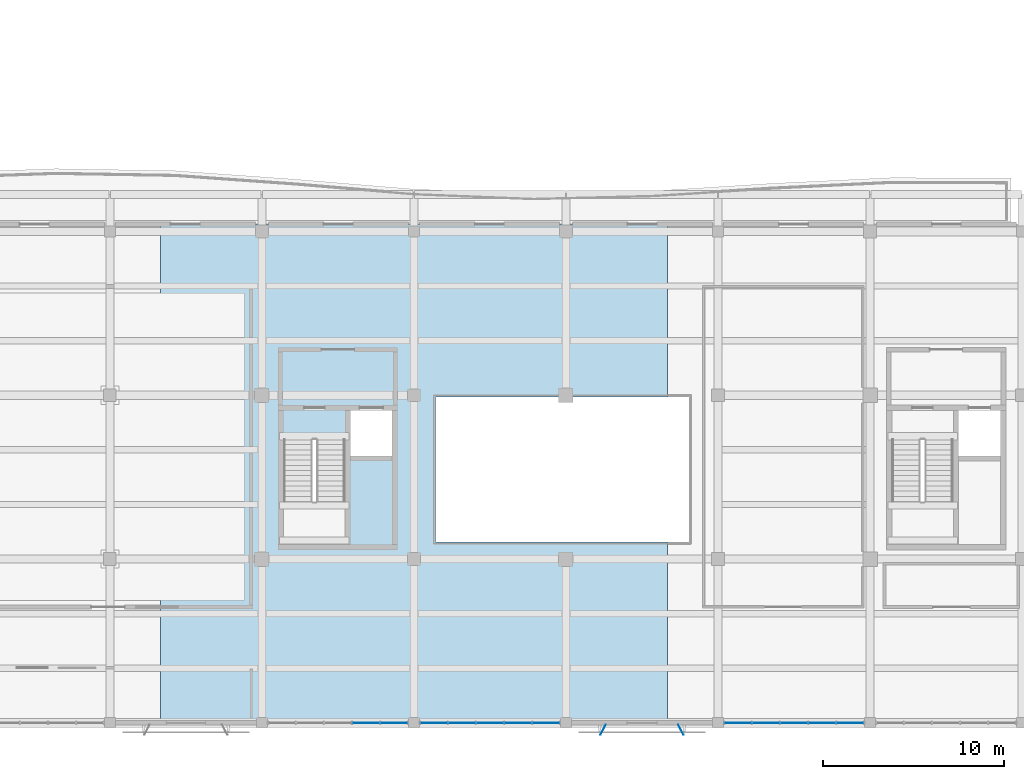
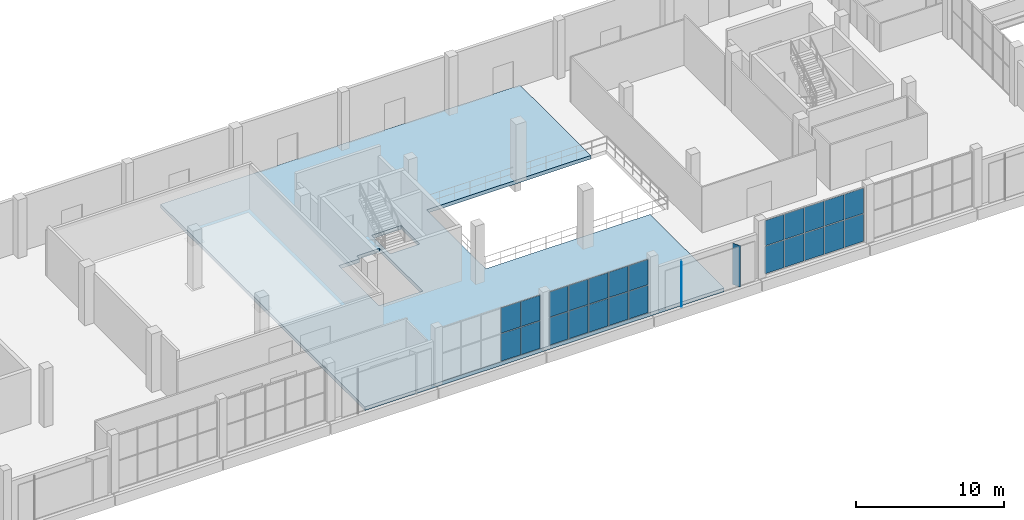
# One storey, part 45 of 80: 26 plates, 1 slab, 3 elements without a shape of their own.
"""IFC4 building model written with IfcOpenShell, lengths in metres."""

from ifc_helpers import new_model, si_unit, direction, frame, origin, origin_2d, place, context, subcontext, project, spatial, polyline, rectangle, outline, extrude, material, layer, layer_set, type_object, element, aggregate, save


model = new_model("IFC4")

# Units and contexts
model_context = context("Model", 3, precision=1e-05, world=origin(), true_north=direction((0.0, 1.0)))
body_context = subcontext(model_context, "Body", "Model", "MODEL_VIEW")
ifc_project = project(units=[si_unit("LENGTHUNIT", "METRE"), si_unit("AREAUNIT", "SQUARE_METRE"), si_unit("VOLUMEUNIT", "CUBIC_METRE"), si_unit("PLANEANGLEUNIT", "RADIAN"), si_unit("MASSUNIT", "GRAM", prefix="KILO")], contexts=[model_context])

# Site, building, storey
site_placement = place(None, origin())
site = spatial("IfcSite", under=ifc_project, at=site_placement, CompositionType="ELEMENT")
building_placement = place(site_placement, origin())
building = spatial("IfcBuilding", under=site, at=building_placement, Name="Khurvash Pelagic Aquarium", CompositionType="ELEMENT")
storey_placement = place(building_placement, frame((0.0, 0.0, 10.800048828125)))
storey = spatial("IfcBuildingStorey", under=building, at=storey_placement, Name="L02", CompositionType="ELEMENT", Elevation=10.800048828125)

# Curtain wall, plates
ifc_material_1 = material(Name="Anodised aluminium and low-E laminated glass", Category="aluminium")
curtain_wall_type = type_object("IfcCurtainWallType", Name="CW-06", PredefinedType="USERDEFINED", material=ifc_material_1)
curtain_wall_1_placement = place(storey_placement, origin())
curtain_wall_1 = element("IfcCurtainWall", 1, at=curtain_wall_1_placement, inside=storey, type_object=curtain_wall_type, Name="L02 Facade Unitised Curtain Wall CW-06 0153", ObjectType="UNITISED CURTAIN WALL", PredefinedType="USERDEFINED")
ifc_material_2 = material(Name="Low-E laminated double glazing", Category="glass")
ifc_layer_1 = layer(ifc_material_2, 0.030029296875)
ifc_layer_set_1 = layer_set([ifc_layer_1], Name="Low-E laminated double glazing")
plate_type_1 = type_object("IfcPlateType", Name="CG-06", PredefinedType="CURTAIN_PANEL", material=ifc_layer_set_1)
plate_1_placement = place(storey_placement, frame((64.55810546875, 2.60009765625, 0.06005859375), z_axis=(0.0, 0.0, 1.0), x_axis=(1.0, 0.0, 0.0)))
plate_1 = element("IfcPlate", 2, at=plate_1_placement, type_object=plate_type_1, Name="CW-06 panel 4.1", PredefinedType="CURTAIN_PANEL", context=body_context, shape_type="SweptSolid", body=[
    extrude(rectangle(XDim=1.498046875, YDim=0.030029296875, at=origin_2d()), origin(), (0.0, 0.0, 1.0), 2.25),
])
plate_2_placement = place(storey_placement, frame((64.55810546875, 2.60009765625, 2.3701171875), z_axis=(0.0, 0.0, 1.0), x_axis=(1.0, 0.0, 0.0)))
plate_2 = element("IfcPlate", 3, at=plate_2_placement, type_object=plate_type_1, Name="CW-06 panel 4.2", PredefinedType="CURTAIN_PANEL", context=body_context, shape_type="SweptSolid", body=[
    extrude(rectangle(XDim=1.498046875, YDim=0.030029296875, at=origin_2d()), origin(), (0.0, 0.0, 1.0), 2.070068359375),
])
plate_3_placement = place(storey_placement, frame((66.10107421875, 2.60009765625, 0.06005859375), z_axis=(0.0, 0.0, 1.0), x_axis=(1.0, 0.0, 0.0)))
plate_3 = element("IfcPlate", 4, at=plate_3_placement, type_object=plate_type_1, Name="CW-06 panel 5.1", PredefinedType="CURTAIN_PANEL", context=body_context, shape_type="SweptSolid", body=[
    extrude(rectangle(XDim=1.468017578125, YDim=0.030029296875, at=origin_2d()), origin(), (0.0, 0.0, 1.0), 2.25),
])
plate_4_placement = place(storey_placement, frame((66.10107421875, 2.60009765625, 2.3701171875), z_axis=(0.0, 0.0, 1.0), x_axis=(1.0, 0.0, 0.0)))
plate_4 = element("IfcPlate", 5, at=plate_4_placement, type_object=plate_type_1, Name="CW-06 panel 5.2", PredefinedType="CURTAIN_PANEL", context=body_context, shape_type="SweptSolid", body=[
    extrude(rectangle(XDim=1.468017578125, YDim=0.030029296875, at=origin_2d()), origin(), (0.0, 0.0, 1.0), 2.070068359375),
])
aggregate(curtain_wall_1, [plate_1, plate_2, plate_3, plate_4])

curtain_wall_2_placement = place(storey_placement, origin())
curtain_wall_2 = element("IfcCurtainWall", 6, at=curtain_wall_2_placement, inside=storey, type_object=curtain_wall_type, Name="L02 Facade Unitised Curtain Wall CW-06 0154", ObjectType="UNITISED CURTAIN WALL", PredefinedType="USERDEFINED")
plate_5_placement = place(storey_placement, frame((68.299072265625, 2.60009765625, 0.06005859375), z_axis=(0.0, 0.0, 1.0), x_axis=(1.0, 0.0, 0.0)))
plate_5 = element("IfcPlate", 7, at=plate_5_placement, type_object=plate_type_1, Name="CW-06 panel 1.1", PredefinedType="CURTAIN_PANEL", context=body_context, shape_type="SweptSolid", body=[
    extrude(rectangle(XDim=1.468017578125, YDim=0.030029296875, at=origin_2d()), origin(), (0.0, 0.0, 1.0), 2.25),
])
plate_6_placement = place(storey_placement, frame((68.299072265625, 2.60009765625, 2.3701171875), z_axis=(0.0, 0.0, 1.0), x_axis=(1.0, 0.0, 0.0)))
plate_6 = element("IfcPlate", 8, at=plate_6_placement, type_object=plate_type_1, Name="CW-06 panel 1.2", PredefinedType="CURTAIN_PANEL", context=body_context, shape_type="SweptSolid", body=[
    extrude(rectangle(XDim=1.468017578125, YDim=0.030029296875, at=origin_2d()), origin(), (0.0, 0.0, 1.0), 2.070068359375),
])
plate_7_placement = place(storey_placement, frame((69.842041015625, 2.60009765625, 0.06005859375), z_axis=(0.0, 0.0, 1.0), x_axis=(1.0, 0.0, 0.0)))
plate_7 = element("IfcPlate", 9, at=plate_7_placement, type_object=plate_type_1, Name="CW-06 panel 2.1", PredefinedType="CURTAIN_PANEL", context=body_context, shape_type="SweptSolid", body=[
    extrude(rectangle(XDim=1.498046875, YDim=0.030029296875, at=origin_2d()), origin(), (0.0, 0.0, 1.0), 2.25),
])
plate_8_placement = place(storey_placement, frame((69.842041015625, 2.60009765625, 2.3701171875), z_axis=(0.0, 0.0, 1.0), x_axis=(1.0, 0.0, 0.0)))
plate_8 = element("IfcPlate", 10, at=plate_8_placement, type_object=plate_type_1, Name="CW-06 panel 2.2", PredefinedType="CURTAIN_PANEL", context=body_context, shape_type="SweptSolid", body=[
    extrude(rectangle(XDim=1.498046875, YDim=0.030029296875, at=origin_2d()), origin(), (0.0, 0.0, 1.0), 2.070068359375),
])
plate_9_placement = place(storey_placement, frame((71.39990234375, 2.60009765625, 0.06005859375), z_axis=(0.0, 0.0, 1.0), x_axis=(1.0, 0.0, 0.0)))
plate_9 = element("IfcPlate", 11, at=plate_9_placement, type_object=plate_type_1, Name="CW-06 panel 3.1", PredefinedType="CURTAIN_PANEL", context=body_context, shape_type="SweptSolid", body=[
    extrude(rectangle(XDim=1.498046875, YDim=0.030029296875, at=origin_2d()), origin(), (0.0, 0.0, 1.0), 2.25),
])
plate_10_placement = place(storey_placement, frame((71.39990234375, 2.60009765625, 2.3701171875), z_axis=(0.0, 0.0, 1.0), x_axis=(1.0, 0.0, 0.0)))
plate_10 = element("IfcPlate", 12, at=plate_10_placement, type_object=plate_type_1, Name="CW-06 panel 3.2", PredefinedType="CURTAIN_PANEL", context=body_context, shape_type="SweptSolid", body=[
    extrude(rectangle(XDim=1.498046875, YDim=0.030029296875, at=origin_2d()), origin(), (0.0, 0.0, 1.0), 2.070068359375),
])
plate_11_placement = place(storey_placement, frame((72.9580078125, 2.60009765625, 0.06005859375), z_axis=(0.0, 0.0, 1.0), x_axis=(1.0, 0.0, 0.0)))
plate_11 = element("IfcPlate", 13, at=plate_11_placement, type_object=plate_type_1, Name="CW-06 panel 4.1", PredefinedType="CURTAIN_PANEL", context=body_context, shape_type="SweptSolid", body=[
    extrude(rectangle(XDim=1.498046875, YDim=0.030029296875, at=origin_2d()), origin(), (0.0, 0.0, 1.0), 2.25),
])
plate_12_placement = place(storey_placement, frame((72.9580078125, 2.60009765625, 2.3701171875), z_axis=(0.0, 0.0, 1.0), x_axis=(1.0, 0.0, 0.0)))
plate_12 = element("IfcPlate", 14, at=plate_12_placement, type_object=plate_type_1, Name="CW-06 panel 4.2", PredefinedType="CURTAIN_PANEL", context=body_context, shape_type="SweptSolid", body=[
    extrude(rectangle(XDim=1.498046875, YDim=0.030029296875, at=origin_2d()), origin(), (0.0, 0.0, 1.0), 2.070068359375),
])
plate_13_placement = place(storey_placement, frame((74.5009765625, 2.60009765625, 0.06005859375), z_axis=(0.0, 0.0, 1.0), x_axis=(1.0, 0.0, 0.0)))
plate_13 = element("IfcPlate", 15, at=plate_13_placement, type_object=plate_type_1, Name="CW-06 panel 5.1", PredefinedType="CURTAIN_PANEL", context=body_context, shape_type="SweptSolid", body=[
    extrude(rectangle(XDim=1.468017578125, YDim=0.030029296875, at=origin_2d()), origin(), (0.0, 0.0, 1.0), 2.25),
])
plate_14_placement = place(storey_placement, frame((74.5009765625, 2.60009765625, 2.3701171875), z_axis=(0.0, 0.0, 1.0), x_axis=(1.0, 0.0, 0.0)))
plate_14 = element("IfcPlate", 16, at=plate_14_placement, type_object=plate_type_1, Name="CW-06 panel 5.2", PredefinedType="CURTAIN_PANEL", context=body_context, shape_type="SweptSolid", body=[
    extrude(rectangle(XDim=1.468017578125, YDim=0.030029296875, at=origin_2d()), origin(), (0.0, 0.0, 1.0), 2.070068359375),
])
aggregate(curtain_wall_2, [plate_5, plate_6, plate_7, plate_8, plate_9, plate_10, plate_11, plate_12, plate_13, plate_14])

curtain_wall_3_placement = place(storey_placement, origin())
curtain_wall_3 = element("IfcCurtainWall", 17, at=curtain_wall_3_placement, inside=storey, type_object=curtain_wall_type, Name="L02 Facade Unitised Curtain Wall CW-06 0155", ObjectType="UNITISED CURTAIN WALL", PredefinedType="USERDEFINED")
plate_15_placement = place(storey_placement, frame((85.09912109375, 2.60009765625, 0.06005859375), z_axis=(0.0, 0.0, 1.0), x_axis=(1.0, 0.0, 0.0)))
plate_15 = element("IfcPlate", 18, at=plate_15_placement, type_object=plate_type_1, Name="CW-06 panel 1.1", PredefinedType="CURTAIN_PANEL", context=body_context, shape_type="SweptSolid", body=[
    extrude(rectangle(XDim=1.468017578125, YDim=0.030029296875, at=origin_2d()), origin(), (0.0, 0.0, 1.0), 2.25),
])
plate_16_placement = place(storey_placement, frame((85.09912109375, 2.60009765625, 2.3701171875), z_axis=(0.0, 0.0, 1.0), x_axis=(1.0, 0.0, 0.0)))
plate_16 = element("IfcPlate", 19, at=plate_16_placement, type_object=plate_type_1, Name="CW-06 panel 1.2", PredefinedType="CURTAIN_PANEL", context=body_context, shape_type="SweptSolid", body=[
    extrude(rectangle(XDim=1.468017578125, YDim=0.030029296875, at=origin_2d()), origin(), (0.0, 0.0, 1.0), 2.070068359375),
])
plate_17_placement = place(storey_placement, frame((86.64208984375, 2.60009765625, 0.06005859375), z_axis=(0.0, 0.0, 1.0), x_axis=(1.0, 0.0, 0.0)))
plate_17 = element("IfcPlate", 20, at=plate_17_placement, type_object=plate_type_1, Name="CW-06 panel 2.1", PredefinedType="CURTAIN_PANEL", context=body_context, shape_type="SweptSolid", body=[
    extrude(rectangle(XDim=1.498046875, YDim=0.030029296875, at=origin_2d()), origin(), (0.0, 0.0, 1.0), 2.25),
])
plate_18_placement = place(storey_placement, frame((86.64208984375, 2.60009765625, 2.3701171875), z_axis=(0.0, 0.0, 1.0), x_axis=(1.0, 0.0, 0.0)))
plate_18 = element("IfcPlate", 21, at=plate_18_placement, type_object=plate_type_1, Name="CW-06 panel 2.2", PredefinedType="CURTAIN_PANEL", context=body_context, shape_type="SweptSolid", body=[
    extrude(rectangle(XDim=1.498046875, YDim=0.030029296875, at=origin_2d()), origin(), (0.0, 0.0, 1.0), 2.070068359375),
])
plate_19_placement = place(storey_placement, frame((88.199951171875, 2.60009765625, 0.06005859375), z_axis=(0.0, 0.0, 1.0), x_axis=(1.0, 0.0, 0.0)))
plate_19 = element("IfcPlate", 22, at=plate_19_placement, type_object=plate_type_1, Name="CW-06 panel 3.1", PredefinedType="CURTAIN_PANEL", context=body_context, shape_type="SweptSolid", body=[
    extrude(rectangle(XDim=1.498046875, YDim=0.030029296875, at=origin_2d()), origin(), (0.0, 0.0, 1.0), 2.25),
])
plate_20_placement = place(storey_placement, frame((88.199951171875, 2.60009765625, 2.3701171875), z_axis=(0.0, 0.0, 1.0), x_axis=(1.0, 0.0, 0.0)))
plate_20 = element("IfcPlate", 23, at=plate_20_placement, type_object=plate_type_1, Name="CW-06 panel 3.2", PredefinedType="CURTAIN_PANEL", context=body_context, shape_type="SweptSolid", body=[
    extrude(rectangle(XDim=1.498046875, YDim=0.030029296875, at=origin_2d()), origin(), (0.0, 0.0, 1.0), 2.070068359375),
])
plate_21_placement = place(storey_placement, frame((89.758056640625, 2.60009765625, 0.06005859375), z_axis=(0.0, 0.0, 1.0), x_axis=(1.0, 0.0, 0.0)))
plate_21 = element("IfcPlate", 24, at=plate_21_placement, type_object=plate_type_1, Name="CW-06 panel 4.1", PredefinedType="CURTAIN_PANEL", context=body_context, shape_type="SweptSolid", body=[
    extrude(rectangle(XDim=1.498046875, YDim=0.030029296875, at=origin_2d()), origin(), (0.0, 0.0, 1.0), 2.25),
])
plate_22_placement = place(storey_placement, frame((89.758056640625, 2.60009765625, 2.3701171875), z_axis=(0.0, 0.0, 1.0), x_axis=(1.0, 0.0, 0.0)))
plate_22 = element("IfcPlate", 25, at=plate_22_placement, type_object=plate_type_1, Name="CW-06 panel 4.2", PredefinedType="CURTAIN_PANEL", context=body_context, shape_type="SweptSolid", body=[
    extrude(rectangle(XDim=1.498046875, YDim=0.030029296875, at=origin_2d()), origin(), (0.0, 0.0, 1.0), 2.070068359375),
])
plate_23_placement = place(storey_placement, frame((91.301025390625, 2.60009765625, 0.06005859375), z_axis=(0.0, 0.0, 1.0), x_axis=(1.0, 0.0, 0.0)))
plate_23 = element("IfcPlate", 26, at=plate_23_placement, type_object=plate_type_1, Name="CW-06 panel 5.1", PredefinedType="CURTAIN_PANEL", context=body_context, shape_type="SweptSolid", body=[
    extrude(rectangle(XDim=1.468017578125, YDim=0.030029296875, at=origin_2d()), origin(), (0.0, 0.0, 1.0), 2.25),
])
plate_24_placement = place(storey_placement, frame((91.301025390625, 2.60009765625, 2.3701171875), z_axis=(0.0, 0.0, 1.0), x_axis=(1.0, 0.0, 0.0)))
plate_24 = element("IfcPlate", 27, at=plate_24_placement, type_object=plate_type_1, Name="CW-06 panel 5.2", PredefinedType="CURTAIN_PANEL", context=body_context, shape_type="SweptSolid", body=[
    extrude(rectangle(XDim=1.468017578125, YDim=0.030029296875, at=origin_2d()), origin(), (0.0, 0.0, 1.0), 2.070068359375),
])
aggregate(curtain_wall_3, [plate_15, plate_16, plate_17, plate_18, plate_19, plate_20, plate_21, plate_22, plate_23, plate_24])

# Slab
ifc_material_3 = material(Name="Concrete C40/50", Category="concrete")
ifc_layer_2 = layer(ifc_material_3, 0.300048828125)
ifc_layer_set_2 = layer_set([ifc_layer_2], Name="Concrete C40/50")
slab_type = type_object("IfcSlabType", Name="FS-300", PredefinedType="FLOOR", material=ifc_layer_set_2)
slab_placement = place(storey_placement, frame((0.0, 0.0, -0.300048828125)))
element("IfcSlab", 28, at=slab_placement, inside=storey, type_object=slab_type, Name="L02 Structural Floor Slab FS-300 V3_SOUTH.2", PredefinedType="FLOOR", context=body_context, shape_type="SweptSolid", body=[
    extrude(outline(polyline([(68.39990234375, 20.60009765625), (81.199951171875, 20.60009765625), (81.199951171875, 30.14990234375), (53.199951171875, 30.14990234375), (53.199951171875, 2.60009765625), (81.199951171875, 2.60009765625), (81.199951171875, 12.60009765625), (68.39990234375, 12.60009765625), (68.39990234375, 20.60009765625)]), holes=[polyline([(61.60009765625, 18.25), (63.39990234375, 18.25), (63.39990234375, 12.449951171875), (60.0, 12.449951171875), (60.0, 17.8701171875), (61.60009765625, 17.8701171875), (61.60009765625, 18.25)]), polyline([(66.0, 17.35009765625), (63.699951171875, 17.35009765625), (63.699951171875, 19.85009765625), (66.0, 19.85009765625), (66.0, 17.35009765625)])]), origin(), (0.0, 0.0, 1.0), 0.300048828125),
])

# Plates
ifc_material_4 = material(Name="Anodised aluminium AW-5005", Category="aluminium")
ifc_layer_3 = layer(ifc_material_4, 0.02392578125)
ifc_layer_set_3 = layer_set([ifc_layer_3], Name="Anodised aluminium AW-5005")
plate_type_2 = type_object("IfcPlateType", Name="SP-01", PredefinedType="SHEET", material=ifc_layer_set_3)
for number, where, z_axis, x_axis, name in (
    (29, (77.64990234375, 2.221923828125, 0.14990234375), (0.0, 0.0, 1.0), (-0.469471562786, -0.882947592859, 0.0), "L02 Parametric Folded Aluminium Solar Screen Fin SP-01 0029"),
    (30, (81.949951171875, 2.221923828125, 0.14990234375), (0.0, 0.0, 1.0), (0.469471562786, -0.882947592859, 0.0), "L02 Parametric Folded Aluminium Solar Screen Fin SP-01 0030"),
):
    element("IfcPlate", number, at=place(storey_placement, frame(where, z_axis=z_axis, x_axis=x_axis)), inside=storey, type_object=plate_type_2, Name=name, PredefinedType="SHEET", context=body_context, shape_type="SweptSolid", body=[
        extrude(rectangle(XDim=0.6201171875, YDim=0.02392578125, at=origin_2d()), origin(), (0.0, 0.0, 1.0), 3.39990234375),
    ])

save(model, "model.ifc")
